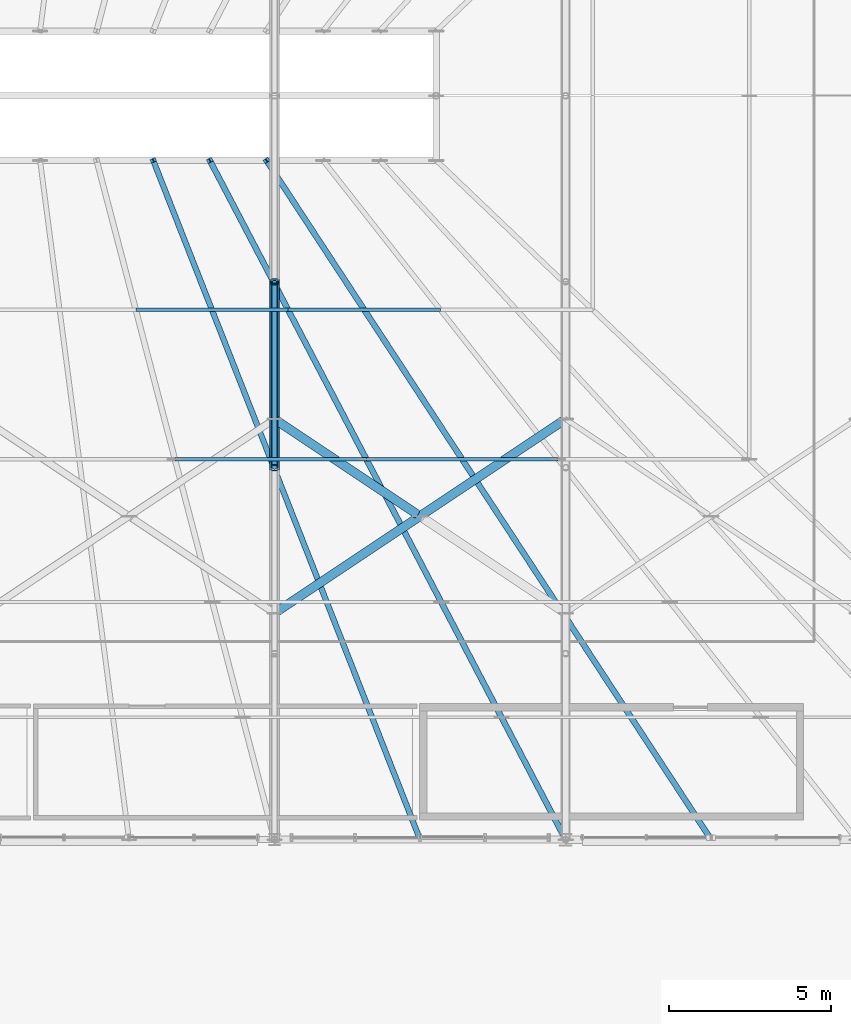
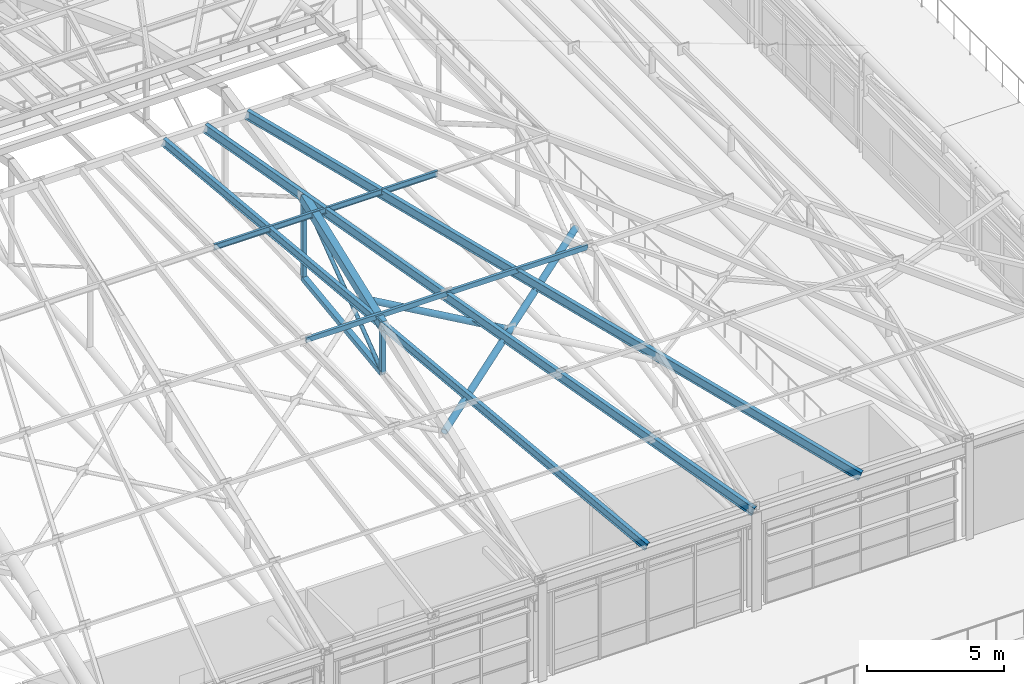
# One storey, part 39 of 168: 13 members, 1 beam.
"""IFC4 building model written with IfcOpenShell, lengths in metres."""

from ifc_helpers import new_model, si_unit, direction, frame, origin, origin_2d, place, context, subcontext, project, spatial, hollow_rectangle, hollow_circle, i_section, extrude, material, material_profile, profile_set, type_object, element, save


model = new_model("IFC4")

# Units and contexts
model_context = context("Model", 3, precision=1e-05, world=origin(), true_north=direction((0.0, 1.0)))
body_context = subcontext(model_context, "Body", "Model", "MODEL_VIEW")
ifc_project = project(units=[si_unit("LENGTHUNIT", "METRE"), si_unit("AREAUNIT", "SQUARE_METRE"), si_unit("VOLUMEUNIT", "CUBIC_METRE"), si_unit("PLANEANGLEUNIT", "RADIAN"), si_unit("MASSUNIT", "GRAM", prefix="KILO"), si_unit("THERMODYNAMICTEMPERATUREUNIT", "KELVIN"), si_unit("POWERUNIT", "WATT")], contexts=[model_context])

# Site, building, storey
site_placement = place(None, origin())
site = spatial("IfcSite", under=ifc_project, at=site_placement, CompositionType="ELEMENT")
building_placement = place(site_placement, origin())
building = spatial("IfcBuilding", under=site, at=building_placement, Name="Tepalcoro Natatorium and Aquatics Centre", CompositionType="ELEMENT")
storey_placement = place(building_placement, frame((0.0, 0.0, 10.199951171875)))
storey = spatial("IfcBuildingStorey", under=building, at=storey_placement, Name="L02", CompositionType="ELEMENT", Elevation=10.199951171875)

# Beam
ifc_material_1 = material(Name="Terracotta Painted Hollow Steel ASTM A500 Grade C (Fy 345 MPa)", Category="masonry")
ifc_material_profile_1 = material_profile(ifc_material_1, hollow_rectangle(XDim=0.300048828125, YDim=0.39990234375, WallThickness=0.01611328125, at=origin_2d()), Name="HSS400X300X16")
ifc_profile_set_1 = profile_set([ifc_material_profile_1], Name="Terracotta Painted Hollow Steel ASTM A500 Grade C (Fy 345 MPa)")
beam_type = type_object("IfcBeamType", Name="AC_HSS400x300x16", PredefinedType="USERDEFINED", material=ifc_profile_set_1)
beam_placement = place(storey_placement, frame((98.0, 24.5, 8.7919921875), z_axis=(0.0, 0.934186419385, 0.356785276935), x_axis=(-1.0, 0.0, 0.0)))
element("IfcBeam", 1, at=beam_placement, inside=storey, type_object=beam_type, Name="V1 Arched Truss Top Chord 6", ObjectType="ARCH CHORD", PredefinedType="USERDEFINED", context=body_context, shape_type="SweptSolid", body=[
    extrude(hollow_rectangle(XDim=0.300048828125, YDim=0.39990234375, WallThickness=0.01611328125, at=origin_2d()), origin(), (0.0, 0.0, 1.0), 6.155029296875),
])

# Members
ifc_material_profile_2 = material_profile(ifc_material_1, hollow_circle(Radius=0.136474609375, WallThickness=0.011962890625, at=origin_2d()), Name="CHS273X12")
ifc_profile_set_2 = profile_set([ifc_material_profile_2], Name="Terracotta Painted Hollow Steel ASTM A500 Grade C (Fy 345 MPa)")
member_type_1 = type_object("IfcMemberType", Name="MB_BR_CHS273x12", PredefinedType="BRACE", material=ifc_profile_set_2)
member_1_placement = place(storey_placement, frame((98.0, 20.0, 6.768310546875), z_axis=(0.813984840573, 0.542656560382, 0.207249937978), x_axis=(-0.554700196225, 0.832050294338, 0.0)))
element("IfcMember", 2, at=member_1_placement, inside=storey, type_object=member_type_1, Name="V1 Pyramid Roof Wind Brace", PredefinedType="BRACE", context=body_context, shape_type="SweptSolid", body=[
    extrude(hollow_circle(Radius=0.136474609375, WallThickness=0.011962890625, at=origin_2d()), origin(), (0.0, 0.0, 1.0), 11.056640625),
])
member_2_placement = place(storey_placement, frame((102.410400390625, 23.059814453125, 7.936767578125), z_axis=(-0.813988111584, 0.54264372144, 0.20727070652), x_axis=(-0.55468956716, -0.832057380283, 0.0)))
element("IfcMember", 3, at=member_2_placement, inside=storey, type_object=member_type_1, Name="V1 Pyramid Roof Split Wind Brace", PredefinedType="BRACE", context=body_context, shape_type="SweptSolid", body=[
    extrude(hollow_circle(Radius=0.136474609375, WallThickness=0.011962890625, at=origin_2d()), origin(), (0.0, 0.0, 1.0), 5.418212890625),
])
ifc_material_profile_3 = material_profile(ifc_material_1, hollow_rectangle(XDim=0.219970703125, YDim=0.219970703125, WallThickness=0.011962890625, at=origin_2d()), Name="HSS220X220X12")
ifc_profile_set_3 = profile_set([ifc_material_profile_3], Name="Terracotta Painted Hollow Steel ASTM A500 Grade C (Fy 345 MPa)")
member_type_2 = type_object("IfcMemberType", Name="MB_CH_HSS220x220x12", PredefinedType="CHORD", material=ifc_profile_set_3)
member_3_placement = place(storey_placement, frame((98.0, 24.5, 6.66259765625), z_axis=(0.0, 0.991809731939, 0.127724138798), x_axis=(-1.0, 0.0, 0.0)))
element("IfcMember", 4, at=member_3_placement, inside=storey, type_object=member_type_2, Name="V1 Arched Truss Bottom Chord 6", PredefinedType="CHORD", context=body_context, shape_type="SweptSolid", body=[
    extrude(hollow_rectangle(XDim=0.219970703125, YDim=0.219970703125, WallThickness=0.011962890625, at=origin_2d()), origin(), (0.0, 0.0, 1.0), 5.79736328125),
])
ifc_material_2 = material(Name="Hollow Steel ASTM A500 Grade C (Fy 345 MPa)", Category="steel")
ifc_material_profile_4 = material_profile(ifc_material_2, hollow_rectangle(XDim=0.1201171875, YDim=0.219970703125, WallThickness=0.010009765625, at=origin_2d()), Name="HSS220X120X10")
ifc_profile_set_4 = profile_set([ifc_material_profile_4], Name="Hollow Steel ASTM A500 Grade C (Fy 345 MPa)")
member_type_3 = type_object("IfcMemberType", Name="MB_PR_HSS220x120x10", PredefinedType="PURLIN", material=ifc_profile_set_4)
member_4_placement = place(storey_placement, frame((94.919921875, 24.760009765625, 9.05419921875), z_axis=(1.0, 0.0, 0.0), x_axis=(0.0, 1.0, 0.0)))
element("IfcMember", 5, at=member_4_placement, inside=storey, type_object=member_type_3, Name="Pyramid Horizontal Purlin South", PredefinedType="PURLIN", context=body_context, shape_type="SweptSolid", body=[
    extrude(hollow_rectangle(XDim=0.1201171875, YDim=0.219970703125, WallThickness=0.010009765625, at=origin_2d()), origin(), (0.0, 0.0, 1.0), 5.920166015625),
])
member_5_placement = place(storey_placement, frame((100.840087890625, 24.760009765625, 9.05419921875), z_axis=(1.0, 0.0, 0.0), x_axis=(0.0, 1.0, 0.0)))
element("IfcMember", 6, at=member_5_placement, inside=storey, type_object=member_type_3, Name="Pyramid Horizontal Purlin South", PredefinedType="PURLIN", context=body_context, shape_type="SweptSolid", body=[
    extrude(hollow_rectangle(XDim=0.1201171875, YDim=0.219970703125, WallThickness=0.010009765625, at=origin_2d()), origin(), (0.0, 0.0, 1.0), 5.919921875),
])
ifc_material_3 = material(Name="Steel ASTM A992 Grade 50 (Fy 345 MPa)", Category="steel")
ifc_material_profile_5 = material_profile(ifc_material_3, i_section(OverallWidth=0.10205078125, OverallDepth=0.259033203125, WebThickness=0.006103515625, FlangeThickness=0.010009765625, FilletRadius=0.013916015625, at=origin_2d()), Name="W10X19")
ifc_profile_set_5 = profile_set([ifc_material_profile_5], Name="Steel ASTM A992 Grade 50 (Fy 345 MPa)")
member_type_4 = type_object("IfcMemberType", Name="MB_PR_W10x19", PredefinedType="PURLIN", material=ifc_profile_set_5)
for number, where, z_axis, x_axis, name in (
    (7, (93.7099609375, 29.3798828125, 10.799072265625), (1.0, 0.0, 0.0), (0.0, 1.0, 0.0), "Pyramid Horizontal Purlin South"),
    (8, (98.419921875, 29.3798828125, 10.799072265625), (1.0, 0.0, 0.0), (0.0, 1.0, 0.0), "Pyramid Horizontal Purlin South"),
):
    element("IfcMember", number, at=place(storey_placement, frame(where, z_axis=z_axis, x_axis=x_axis)), inside=storey, type_object=member_type_4, Name=name, PredefinedType="PURLIN", context=body_context, shape_type="SweptSolid", body=[
        extrude(i_section(OverallWidth=0.10205078125, OverallDepth=0.259033203125, WebThickness=0.006103515625, FlangeThickness=0.010009765625, FilletRadius=0.013916015625, at=origin_2d()), origin(), (0.0, 0.0, 1.0), 4.7099609375),
    ])
ifc_material_profile_6 = material_profile(ifc_material_1, hollow_rectangle(XDim=0.179931640625, YDim=0.179931640625, WallThickness=0.010009765625, at=origin_2d()), Name="HSS180X180X10")
ifc_profile_set_6 = profile_set([ifc_material_profile_6], Name="Terracotta Painted Hollow Steel ASTM A500 Grade C (Fy 345 MPa)")
member_type_5 = type_object("IfcMemberType", Name="MB_PS_HSS180x180x10", PredefinedType="POST", material=ifc_profile_set_6)
member_6_placement = place(storey_placement, frame((98.0, 24.5, 6.66259765625), z_axis=(0.0, 0.0, 1.0), x_axis=(1.0, 0.0, 0.0)))
element("IfcMember", 9, at=member_6_placement, inside=storey, type_object=member_type_5, Name="V1 Arched Truss Vertical Post 6", PredefinedType="POST", context=body_context, shape_type="SweptSolid", body=[
    extrude(hollow_rectangle(XDim=0.179931640625, YDim=0.179931640625, WallThickness=0.010009765625, at=origin_2d()), origin(), (0.0, 0.0, 1.0), 2.12939453125),
])
member_7_placement = place(storey_placement, frame((98.0, 30.25, 7.403076171875), z_axis=(0.0, 0.0, 1.0), x_axis=(1.0, 0.0, 0.0)))
element("IfcMember", 10, at=member_7_placement, inside=storey, type_object=member_type_5, Name="V1 Arched Truss Vertical Post 6", PredefinedType="POST", context=body_context, shape_type="SweptSolid", body=[
    extrude(hollow_rectangle(XDim=0.179931640625, YDim=0.179931640625, WallThickness=0.010009765625, at=origin_2d()), origin(), (0.0, 0.0, 1.0), 3.5849609375),
])
ifc_material_profile_7 = material_profile(ifc_material_3, i_section(OverallWidth=0.1708984375, OverallDepth=0.35595703125, WebThickness=0.007080078125, FlangeThickness=0.011962890625, FilletRadius=0.013916015625, at=origin_2d()), Name="W14X34")
ifc_profile_set_7 = profile_set([ifc_material_profile_7], Name="Steel ASTM A992 Grade 50 (Fy 345 MPa)")
member_type_6 = type_object("IfcMemberType", Name="MB_RF_W14x34", PredefinedType="RAFTER", material=ifc_profile_set_7)
member_8_placement = place(storey_placement, frame((102.5, 13.0, 4.320068359375), z_axis=(-0.343634935257, 0.874707107928, 0.341763817002), x_axis=(-0.93075149344, -0.365652372423, 0.0)))
element("IfcMember", 11, at=member_8_placement, inside=storey, type_object=member_type_6, Name="Pyramid Skylight Rafter South", PredefinedType="RAFTER", context=body_context, shape_type="SweptSolid", body=[
    extrude(i_section(OverallWidth=0.1708984375, OverallDepth=0.35595703125, WebThickness=0.007080078125, FlangeThickness=0.011962890625, FilletRadius=0.013916015625, at=origin_2d()), origin(), (0.0, 0.0, 1.0), 24.008056640625),
])
ifc_material_profile_8 = material_profile(ifc_material_3, i_section(OverallWidth=0.177978515625, OverallDepth=0.403076171875, WebThickness=0.008056640625, FlangeThickness=0.010986328125, FilletRadius=0.013916015625, at=origin_2d()), Name="W16X36")
ifc_profile_set_8 = profile_set([ifc_material_profile_8], Name="Steel ASTM A992 Grade 50 (Fy 345 MPa)")
member_type_7 = type_object("IfcMemberType", Name="MB_RF_W16x36", PredefinedType="RAFTER", material=ifc_profile_set_8)
member_9_placement = place(storey_placement, frame((107.0, 13.0, 4.320068359375), z_axis=(-0.438486045758, 0.837109723719, 0.327073842015), x_axis=(-0.88583153528, -0.464006994671, 0.0)))
element("IfcMember", 12, at=member_9_placement, inside=storey, type_object=member_type_7, Name="Pyramid Skylight Rafter South", PredefinedType="RAFTER", context=body_context, shape_type="SweptSolid", body=[
    extrude(i_section(OverallWidth=0.177978515625, OverallDepth=0.403076171875, WebThickness=0.008056640625, FlangeThickness=0.010986328125, FilletRadius=0.013916015625, at=origin_2d()), origin(), (0.0, 0.0, 1.0), 25.08642578125),
])
member_10_placement = place(storey_placement, frame((111.5, 13.0, 4.320068359375), z_axis=(-0.520674304888, 0.795211665647, 0.310703516312), x_axis=(-0.836618528628, -0.547785941364, 0.0)))
element("IfcMember", 13, at=member_10_placement, inside=storey, type_object=member_type_7, Name="Pyramid Skylight Rafter South", PredefinedType="RAFTER", context=body_context, shape_type="SweptSolid", body=[
    extrude(i_section(OverallWidth=0.177978515625, OverallDepth=0.403076171875, WebThickness=0.008056640625, FlangeThickness=0.010986328125, FilletRadius=0.013916015625, at=origin_2d()), origin(), (0.0, 0.0, 1.0), 26.407958984375),
])
ifc_material_profile_9 = material_profile(ifc_material_1, hollow_circle(Radius=0.083984375, WallThickness=0.011962890625, at=origin_2d()), Name="CHS168X12")
ifc_profile_set_9 = profile_set([ifc_material_profile_9], Name="Terracotta Painted Hollow Steel ASTM A500 Grade C (Fy 345 MPa)")
member_type_8 = type_object("IfcMemberType", Name="MB_ST_CHS168x12", PredefinedType="STRUT", material=ifc_profile_set_9)
member_11_placement = place(storey_placement, frame((98.0, 24.5, 6.66259765625), z_axis=(0.0, 0.799135974953, 0.601150308604), x_axis=(-1.0, 0.0, 0.0)))
element("IfcMember", 14, at=member_11_placement, inside=storey, type_object=member_type_8, Name="V1 Arched Truss Web Diagonal 6", PredefinedType="STRUT", context=body_context, shape_type="SweptSolid", body=[
    extrude(hollow_circle(Radius=0.083984375, WallThickness=0.011962890625, at=origin_2d()), origin(), (0.0, 0.0, 1.0), 7.1953125),
])

save(model, "model.ifc")
